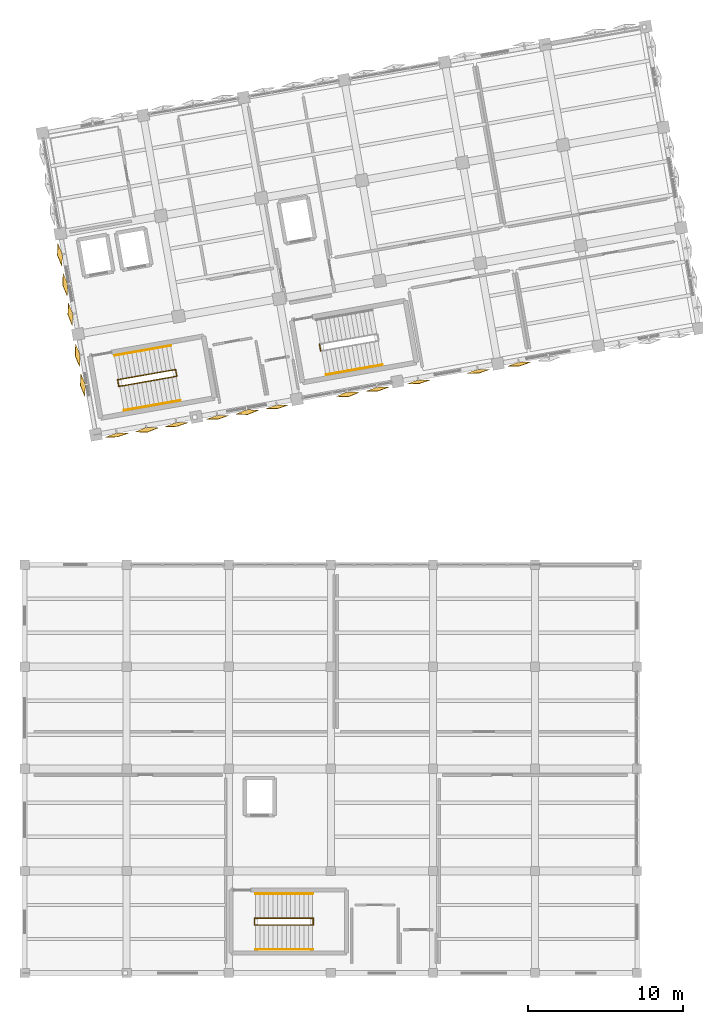
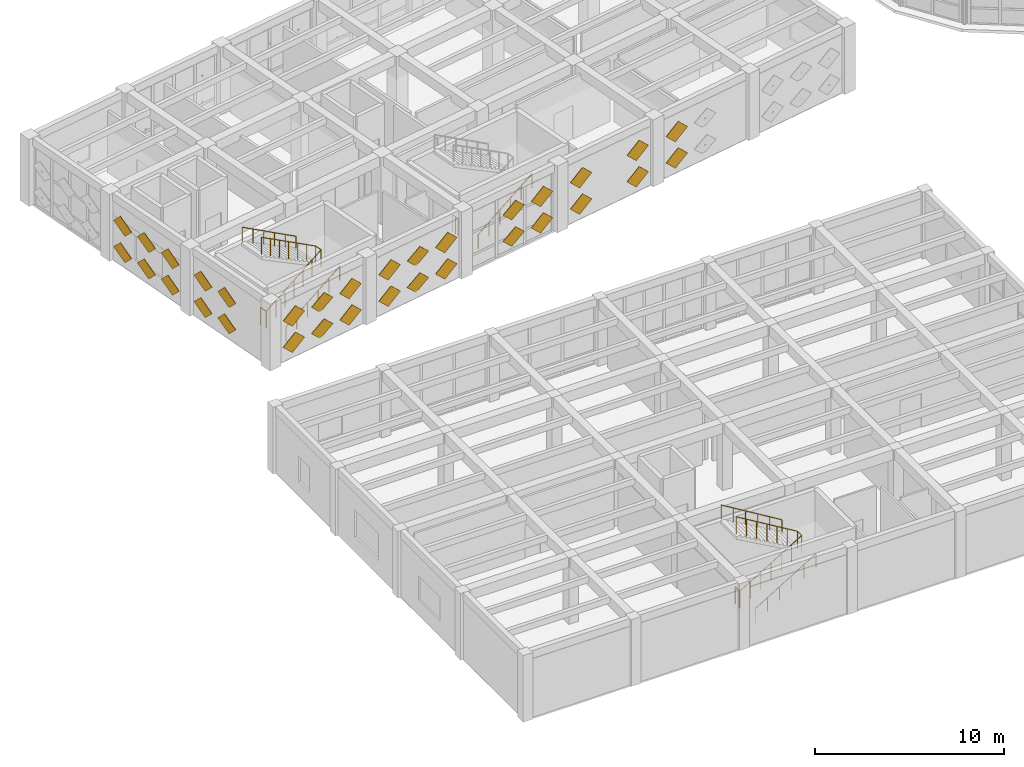
# One storey, part 75 of 80: 22 coverings, 10 railings, 10 shading devices.
"""IFC4 building model written with IfcOpenShell, lengths in metres."""

from ifc_helpers import new_model, si_unit, direction, frame, origin, origin_2d, place, context, subcontext, project, spatial, polyline, circle, outline, extrude, material, type_object, element, save


model = new_model("IFC4")

# Units and contexts
model_context = context("Model", 3, precision=1e-05, world=origin(), true_north=direction((0.0, 1.0)))
body_context = subcontext(model_context, "Body", "Model", "MODEL_VIEW")
ifc_project = project(units=[si_unit("LENGTHUNIT", "METRE"), si_unit("AREAUNIT", "SQUARE_METRE"), si_unit("VOLUMEUNIT", "CUBIC_METRE"), si_unit("PLANEANGLEUNIT", "RADIAN"), si_unit("MASSUNIT", "GRAM", prefix="KILO")], contexts=[model_context])

# Site, building, storey
site_placement = place(None, origin())
site = spatial("IfcSite", under=ifc_project, at=site_placement, CompositionType="ELEMENT")
building_placement = place(site_placement, origin())
building = spatial("IfcBuilding", under=site, at=building_placement, Name="Kharisveld Research Institute", CompositionType="ELEMENT")
storey_placement = place(building_placement, frame((0.0, 0.0, 5.10009765625)))
storey = spatial("IfcBuildingStorey", under=building, at=storey_placement, Name="L01", CompositionType="ELEMENT", Elevation=5.10009765625)

# Railings
ifc_material_1 = material(Name="Steel S355JR", Category="steel")
railing_type_1 = type_object("IfcRailingType", Name="RL_GRD_STR", PredefinedType="GUARDRAIL", material=ifc_material_1)
railing_1_placement = place(storey_placement, frame((6.75048828125, 38.13671875, 0.0)))
element("IfcRailing", 1, at=railing_1_placement, inside=storey, type_object=railing_type_1, Name="RLG:ST1:L01:GRD_SLOT", PredefinedType="GUARDRAIL", context=body_context, shape_type="SweptSolid", body=[
    extrude(circle(Radius=0.02392578125, at=origin_2d()), frame((0.0, 0.0, 1.09619140625), z_axis=(0.84417332575, 0.148863291176, 0.514986520826), x_axis=(-0.173662611611, 0.984805207809, 0.0)), (0.0, 0.0, 1.0), 4.369140625),
    extrude(circle(Radius=0.02392578125, at=origin_2d()), frame((3.688232421875, 0.650390625, 3.34619140625), z_axis=(-0.173658729201, 0.984805892434, 0.0), x_axis=(-0.984805892434, -0.173658729201, 0.0)), (0.0, 0.0, 1.0), 0.43994140625),
    extrude(circle(Radius=0.02392578125, at=origin_2d()), frame((3.61181640625, 1.083740234375, 3.34619140625), z_axis=(-0.844157266411, -0.148870313632, 0.515010814726), x_axis=(0.173673761132, -0.984803241614, 0.0)), (0.0, 0.0, 1.0), 4.368896484375),
    extrude(circle(Radius=0.02099609375, at=origin_2d()), origin(), (0.0, 0.0, 1.0), 1.072021484375),
    extrude(circle(Radius=0.02099609375, at=origin_2d()), frame((0.61474609375, 0.1083984375, 0.375)), (0.0, 0.0, 1.0), 1.072021484375),
    extrude(circle(Radius=0.02099609375, at=origin_2d()), frame((1.2294921875, 0.216796875, 0.75)), (0.0, 0.0, 1.0), 1.072021484375),
    extrude(circle(Radius=0.02099609375, at=origin_2d()), frame((1.84423828125, 0.3251953125, 1.125)), (0.0, 0.0, 1.0), 1.072021484375),
    extrude(circle(Radius=0.02099609375, at=origin_2d()), frame((2.458740234375, 0.43359375, 1.5)), (0.0, 0.0, 1.0), 1.072021484375),
    extrude(circle(Radius=0.02099609375, at=origin_2d()), frame((3.073486328125, 0.5419921875, 1.875)), (0.0, 0.0, 1.0), 1.072021484375),
    extrude(circle(Radius=0.02099609375, at=origin_2d()), frame((3.688232421875, 0.650390625, 2.25)), (0.0, 0.0, 1.0), 1.072021484375),
    extrude(circle(Radius=0.02099609375, at=origin_2d()), frame((3.61181640625, 1.083740234375, 2.25)), (0.0, 0.0, 1.0), 1.072021484375),
    extrude(circle(Radius=0.02099609375, at=origin_2d()), frame((2.9970703125, 0.975341796875, 2.625)), (0.0, 0.0, 1.0), 1.072021484375),
    extrude(circle(Radius=0.02099609375, at=origin_2d()), frame((2.382568359375, 0.866943359375, 3.0)), (0.0, 0.0, 1.0), 1.072021484375),
    extrude(circle(Radius=0.02099609375, at=origin_2d()), frame((1.767822265625, 0.758544921875, 3.375)), (0.0, 0.0, 1.0), 1.072021484375),
    extrude(circle(Radius=0.02099609375, at=origin_2d()), frame((1.153076171875, 0.650146484375, 3.75)), (0.0, 0.0, 1.0), 1.072021484375),
    extrude(circle(Radius=0.02099609375, at=origin_2d()), frame((0.53857421875, 0.541748046875, 4.125)), (0.0, 0.0, 1.0), 1.072021484375),
    extrude(circle(Radius=0.02099609375, at=origin_2d()), frame((-0.076171875, 0.433349609375, 4.5)), (0.0, 0.0, 1.0), 1.072021484375),
])
railing_2_placement = place(storey_placement, frame((6.69140625, 38.12646484375, 0.0)))
element("IfcRailing", 2, at=railing_2_placement, inside=storey, type_object=railing_type_1, Name="RLG:ST1:L01:GRD_FLRSLOT", PredefinedType="GUARDRAIL", context=body_context, shape_type="SweptSolid", body=[
    extrude(circle(Radius=0.02392578125, at=origin_2d()), frame((0.0, 0.0, 1.09619140625), z_axis=(-0.173753665698, 0.984789146801, 0.0), x_axis=(-0.984789146801, -0.173753665698, 0.0)), (0.0, 0.0, 1.0), 0.439697265625),
    extrude(circle(Radius=0.02099609375, at=origin_2d()), origin(), (0.0, 0.0, 1.0), 1.072021484375),
    extrude(circle(Radius=0.02099609375, at=origin_2d()), frame((-0.076416015625, 0.43310546875, 0.0)), (0.0, 0.0, 1.0), 1.072021484375),
])
railing_3_placement = place(storey_placement, frame((19.740234375, 40.42724609375, 0.0)))
element("IfcRailing", 3, at=railing_3_placement, inside=storey, type_object=railing_type_1, Name="RLG:ST2:L01:GRD_FLRSLOT", PredefinedType="GUARDRAIL", context=body_context, shape_type="SweptSolid", body=[
    extrude(circle(Radius=0.02392578125, at=origin_2d()), frame((0.0, 0.0, 1.09619140625), z_axis=(-0.173658729201, 0.984805892434, 0.0), x_axis=(-0.984805892434, -0.173658729201, 0.0)), (0.0, 0.0, 1.0), 0.43994140625),
    extrude(circle(Radius=0.02099609375, at=origin_2d()), origin(), (0.0, 0.0, 1.0), 1.072021484375),
    extrude(circle(Radius=0.02099609375, at=origin_2d()), frame((-0.0380859375, 0.216796875, 0.0)), (0.0, 0.0, 1.0), 1.072021484375),
    extrude(circle(Radius=0.02099609375, at=origin_2d()), frame((-0.076416015625, 0.433349609375, 0.0)), (0.0, 0.0, 1.0), 1.072021484375),
])
railing_4_placement = place(storey_placement, frame((15.52001953125, 3.31005859375, 0.0)))
element("IfcRailing", 4, at=railing_4_placement, inside=storey, type_object=railing_type_1, Name="RLG:ST4:L01:GRD_SLOT", PredefinedType="GUARDRAIL", context=body_context, shape_type="SweptSolid", body=[
    extrude(circle(Radius=0.02392578125, at=origin_2d()), frame((0.0, 0.0, 1.09619140625), z_axis=(0.857182128291, 0.0, 0.515013396853), x_axis=(0.0, 1.0, 0.0)), (0.0, 0.0, 1.0), 4.368896484375),
    extrude(circle(Radius=0.02392578125, at=origin_2d()), frame((3.744873046875, 0.0, 3.34619140625), z_axis=(0.0, 1.0, 0.0), x_axis=(-1.0, 0.0, 0.0)), (0.0, 0.0, 1.0), 0.43994140625),
    extrude(circle(Radius=0.02392578125, at=origin_2d()), frame((3.744873046875, 0.43994140625, 3.34619140625), z_axis=(-0.857182128291, 0.0, 0.515013396853), x_axis=(0.0, -1.0, 0.0)), (0.0, 0.0, 1.0), 4.368896484375),
    extrude(circle(Radius=0.02099609375, at=origin_2d()), origin(), (0.0, 0.0, 1.0), 1.072021484375),
    extrude(circle(Radius=0.02099609375, at=origin_2d()), frame((0.6240234375, 0.0, 0.375)), (0.0, 0.0, 1.0), 1.072021484375),
    extrude(circle(Radius=0.02099609375, at=origin_2d()), frame((1.248291015625, 0.0, 0.75)), (0.0, 0.0, 1.0), 1.072021484375),
    extrude(circle(Radius=0.02099609375, at=origin_2d()), frame((1.87255859375, 0.0, 1.125)), (0.0, 0.0, 1.0), 1.072021484375),
    extrude(circle(Radius=0.02099609375, at=origin_2d()), frame((2.49658203125, 0.0, 1.5)), (0.0, 0.0, 1.0), 1.072021484375),
    extrude(circle(Radius=0.02099609375, at=origin_2d()), frame((3.12060546875, 0.0, 1.875)), (0.0, 0.0, 1.0), 1.072021484375),
    extrude(circle(Radius=0.02099609375, at=origin_2d()), frame((3.744873046875, 0.0, 2.25)), (0.0, 0.0, 1.0), 1.072021484375),
    extrude(circle(Radius=0.02099609375, at=origin_2d()), frame((3.744873046875, 0.43994140625, 2.25)), (0.0, 0.0, 1.0), 1.072021484375),
    extrude(circle(Radius=0.02099609375, at=origin_2d()), frame((3.12060546875, 0.43994140625, 2.625)), (0.0, 0.0, 1.0), 1.072021484375),
    extrude(circle(Radius=0.02099609375, at=origin_2d()), frame((2.49658203125, 0.43994140625, 3.0)), (0.0, 0.0, 1.0), 1.072021484375),
    extrude(circle(Radius=0.02099609375, at=origin_2d()), frame((1.87255859375, 0.43994140625, 3.375)), (0.0, 0.0, 1.0), 1.072021484375),
    extrude(circle(Radius=0.02099609375, at=origin_2d()), frame((1.248291015625, 0.43994140625, 3.75)), (0.0, 0.0, 1.0), 1.072021484375),
    extrude(circle(Radius=0.02099609375, at=origin_2d()), frame((0.6240234375, 0.43994140625, 4.125)), (0.0, 0.0, 1.0), 1.072021484375),
    extrude(circle(Radius=0.02099609375, at=origin_2d()), frame((0.0, 0.43994140625, 4.5)), (0.0, 0.0, 1.0), 1.072021484375),
])
railing_5_placement = place(storey_placement, frame((15.4599609375, 3.31005859375, 0.0)))
element("IfcRailing", 5, at=railing_5_placement, inside=storey, type_object=railing_type_1, Name="RLG:ST4:L01:GRD_FLRSLOT", PredefinedType="GUARDRAIL", context=body_context, shape_type="SweptSolid", body=[
    extrude(circle(Radius=0.02392578125, at=origin_2d()), frame((0.0, 0.0, 1.09619140625), z_axis=(0.0, 1.0, 0.0), x_axis=(-1.0, 0.0, 0.0)), (0.0, 0.0, 1.0), 0.43994140625),
    extrude(circle(Radius=0.02099609375, at=origin_2d()), origin(), (0.0, 0.0, 1.0), 1.072021484375),
    extrude(circle(Radius=0.02099609375, at=origin_2d()), frame((0.0, 0.43994140625, 0.0)), (0.0, 0.0, 1.0), 1.072021484375),
])
ifc_material_2 = material(Name="Stainless Steel 316", Category="steel")
railing_type_2 = type_object("IfcRailingType", Name="RL_HND_STR", PredefinedType="HANDRAIL", material=ifc_material_2)
railing_6_placement = place(storey_placement, frame((7.02490234375, 36.580810546875, 0.0)))
element("IfcRailing", 6, at=railing_6_placement, inside=storey, type_object=railing_type_2, Name="RLG:ST1:L01:HR1", PredefinedType="HANDRAIL", context=body_context, shape_type="SweptSolid", body=[
    extrude(circle(Radius=0.02392578125, at=origin_2d()), frame((0.0, 0.0, 0.89599609375), z_axis=(0.841746897377, 0.148411045473, 0.519072559801), x_axis=(-0.173634966033, 0.984810082488, 0.0)), (0.0, 0.0, 1.0), 4.334716796875),
    extrude(circle(Radius=0.02099609375, at=origin_2d()), origin(), (0.0, 0.0, 1.0), 0.871826171875),
    extrude(circle(Radius=0.02099609375, at=origin_2d()), frame((0.729736328125, 0.128662109375, 0.449951171875)), (0.0, 0.0, 1.0), 0.871826171875),
    extrude(circle(Radius=0.02099609375, at=origin_2d()), frame((1.45947265625, 0.25732421875, 0.89990234375)), (0.0, 0.0, 1.0), 0.871826171875),
    extrude(circle(Radius=0.02099609375, at=origin_2d()), frame((2.189208984375, 0.385986328125, 1.35009765625)), (0.0, 0.0, 1.0), 0.871826171875),
    extrude(circle(Radius=0.02099609375, at=origin_2d()), frame((2.9189453125, 0.5146484375, 1.800048828125)), (0.0, 0.0, 1.0), 0.871826171875),
    extrude(circle(Radius=0.02099609375, at=origin_2d()), frame((3.648681640625, 0.643310546875, 2.25)), (0.0, 0.0, 1.0), 0.871826171875),
])
railing_7_placement = place(storey_placement, frame((10.048583984375, 40.76953125, 2.25)))
element("IfcRailing", 7, at=railing_7_placement, inside=storey, type_object=railing_type_2, Name="RLG:ST1:L01:HR2", PredefinedType="HANDRAIL", context=body_context, shape_type="SweptSolid", body=[
    extrude(circle(Radius=0.02392578125, at=origin_2d()), frame((0.0, 0.0, 0.89599609375), z_axis=(-0.841739860008, -0.148466127198, 0.519068220129), x_axis=(0.173698873865, -0.984798812559, 0.0)), (0.0, 0.0, 1.0), 4.334716796875),
    extrude(circle(Radius=0.02099609375, at=origin_2d()), origin(), (0.0, 0.0, 1.0), 0.871826171875),
    extrude(circle(Radius=0.02099609375, at=origin_2d()), frame((-0.729736328125, -0.128662109375, 0.449951171875)), (0.0, 0.0, 1.0), 0.871826171875),
    extrude(circle(Radius=0.02099609375, at=origin_2d()), frame((-1.45947265625, -0.25732421875, 0.89990234375)), (0.0, 0.0, 1.0), 0.871826171875),
    extrude(circle(Radius=0.02099609375, at=origin_2d()), frame((-2.189208984375, -0.38623046875, 1.35009765625)), (0.0, 0.0, 1.0), 0.871826171875),
    extrude(circle(Radius=0.02099609375, at=origin_2d()), frame((-2.9189453125, -0.514892578125, 1.800048828125)), (0.0, 0.0, 1.0), 0.871826171875),
    extrude(circle(Radius=0.02099609375, at=origin_2d()), frame((-3.648681640625, -0.6435546875, 2.25)), (0.0, 0.0, 1.0), 0.871826171875),
])
railing_8_placement = place(storey_placement, frame((20.07373046875, 38.881591796875, 0.0)))
element("IfcRailing", 8, at=railing_8_placement, inside=storey, type_object=railing_type_2, Name="RLG:ST2:L01:HR1", PredefinedType="HANDRAIL", context=body_context, shape_type="SweptSolid", body=[
    extrude(circle(Radius=0.02392578125, at=origin_2d()), frame((0.0, 0.0, 0.89599609375), z_axis=(0.841746897377, 0.148411045473, 0.519072559801), x_axis=(-0.173634966033, 0.984810082488, 0.0)), (0.0, 0.0, 1.0), 4.334716796875),
    extrude(circle(Radius=0.02099609375, at=origin_2d()), origin(), (0.0, 0.0, 1.0), 0.871826171875),
    extrude(circle(Radius=0.02099609375, at=origin_2d()), frame((0.729736328125, 0.128662109375, 0.449951171875)), (0.0, 0.0, 1.0), 0.871826171875),
    extrude(circle(Radius=0.02099609375, at=origin_2d()), frame((1.45947265625, 0.25732421875, 0.89990234375)), (0.0, 0.0, 1.0), 0.871826171875),
    extrude(circle(Radius=0.02099609375, at=origin_2d()), frame((2.189208984375, 0.385986328125, 1.35009765625)), (0.0, 0.0, 1.0), 0.871826171875),
    extrude(circle(Radius=0.02099609375, at=origin_2d()), frame((2.9189453125, 0.5146484375, 1.800048828125)), (0.0, 0.0, 1.0), 0.871826171875),
    extrude(circle(Radius=0.02099609375, at=origin_2d()), frame((3.648681640625, 0.643310546875, 2.25)), (0.0, 0.0, 1.0), 0.871826171875),
])
railing_9_placement = place(storey_placement, frame((15.52001953125, 1.72998046875, 0.0)))
element("IfcRailing", 9, at=railing_9_placement, inside=storey, type_object=railing_type_2, Name="RLG:ST4:L01:HR1", PredefinedType="HANDRAIL", context=body_context, shape_type="SweptSolid", body=[
    extrude(circle(Radius=0.02392578125, at=origin_2d()), frame((0.0, 0.0, 0.89599609375), z_axis=(0.854737540875, 0.0, 0.519060435998), x_axis=(0.0, 1.0, 0.0)), (0.0, 0.0, 1.0), 4.334716796875),
    extrude(circle(Radius=0.02099609375, at=origin_2d()), origin(), (0.0, 0.0, 1.0), 0.871826171875),
    extrude(circle(Radius=0.02099609375, at=origin_2d()), frame((0.740966796875, 0.0, 0.449951171875)), (0.0, 0.0, 1.0), 0.871826171875),
    extrude(circle(Radius=0.02099609375, at=origin_2d()), frame((1.48193359375, 0.0, 0.89990234375)), (0.0, 0.0, 1.0), 0.871826171875),
    extrude(circle(Radius=0.02099609375, at=origin_2d()), frame((2.22314453125, 0.0, 1.35009765625)), (0.0, 0.0, 1.0), 0.871826171875),
    extrude(circle(Radius=0.02099609375, at=origin_2d()), frame((2.964111328125, 0.0, 1.800048828125)), (0.0, 0.0, 1.0), 0.871826171875),
    extrude(circle(Radius=0.02099609375, at=origin_2d()), frame((3.705078125, 0.0, 2.25)), (0.0, 0.0, 1.0), 0.871826171875),
])
railing_10_placement = place(storey_placement, frame((19.22509765625, 5.330078125, 2.25)))
element("IfcRailing", 10, at=railing_10_placement, inside=storey, type_object=railing_type_2, Name="RLG:ST4:L01:HR2", PredefinedType="HANDRAIL", context=body_context, shape_type="SweptSolid", body=[
    extrude(circle(Radius=0.02392578125, at=origin_2d()), frame((0.0, 0.0, 0.89599609375), z_axis=(-0.854737540875, 0.0, 0.519060435998), x_axis=(0.0, -1.0, 0.0)), (0.0, 0.0, 1.0), 4.334716796875),
    extrude(circle(Radius=0.02099609375, at=origin_2d()), origin(), (0.0, 0.0, 1.0), 0.871826171875),
    extrude(circle(Radius=0.02099609375, at=origin_2d()), frame((-0.740966796875, 0.0, 0.449951171875)), (0.0, 0.0, 1.0), 0.871826171875),
    extrude(circle(Radius=0.02099609375, at=origin_2d()), frame((-1.48193359375, 0.0, 0.89990234375)), (0.0, 0.0, 1.0), 0.871826171875),
    extrude(circle(Radius=0.02099609375, at=origin_2d()), frame((-2.22314453125, 0.0, 1.35009765625)), (0.0, 0.0, 1.0), 0.871826171875),
    extrude(circle(Radius=0.02099609375, at=origin_2d()), frame((-2.964111328125, 0.0, 1.800048828125)), (0.0, 0.0, 1.0), 0.871826171875),
    extrude(circle(Radius=0.02099609375, at=origin_2d()), frame((-3.705078125, 0.0, 2.25)), (0.0, 0.0, 1.0), 0.871826171875),
])

# Coverings
ifc_material_3 = material(Name="White Powder-Coated Perforated Aluminium", Category="aluminium")
covering_type = type_object("IfcCoveringType", Name="CV_DIA_105", PredefinedType="CLADDING")
covering_1_placement = place(storey_placement, frame((32.549072265625, 39.69287109375, 0.317626953125), z_axis=(-0.171234061711, 0.9712992705, 0.165095800177), x_axis=(-0.676173830196, -0.2377336742, 0.697331808761)))
element("IfcCovering", 11, at=covering_1_placement, inside=storey, type_object=covering_type, material=ifc_material_3, Name="SHD:V1:L01:S5:S2C0", PredefinedType="CLADDING", context=body_context, shape_type="SweptSolid", body=[
    extrude(outline(polyline([(0.0, 0.0), (1.0500032083471293, -1.1102230246251565e-16), (1.0499897163291267, 1.0500851186270816), (-0.00012569859382338677, 1.049912938756706), (0.0, 0.0)])), origin(), (0.0, 0.0, -1.0), 0.02392578125),
])
covering_2_placement = place(storey_placement, frame((32.549072265625, 39.69287109375, 2.017578125), z_axis=(-0.171234061711, 0.9712992705, 0.165095800177), x_axis=(-0.676057632461, -0.237732410628, 0.697444892825)))
element("IfcCovering", 12, at=covering_2_placement, inside=storey, type_object=covering_type, material=ifc_material_3, Name="SHD:V1:L01:S5:S2C1", PredefinedType="CLADDING", context=body_context, shape_type="SweptSolid", body=[
    extrude(outline(polyline([(0.0, 0.0), (1.050173469176079, 1.1102230246251565e-16), (1.0501599702440891, 1.049914852574201), (0.0002148158393612265, 1.050083199772804), (0.0, 0.0)])), origin(), (0.0, 0.0, -1.0), 0.02392578125),
])
covering_3_placement = place(storey_placement, frame((29.896484375, 39.22509765625, 0.317626953125), z_axis=(-0.171233254714, 0.971294692931, 0.165123565742), x_axis=(-0.676049703282, -0.237751697675, 0.697446004322)))
element("IfcCovering", 13, at=covering_3_placement, inside=storey, type_object=covering_type, material=ifc_material_3, Name="SHD:V1:L01:S4:S0C0", PredefinedType="CLADDING", context=body_context, shape_type="SweptSolid", body=[
    extrude(outline(polyline([(0.0, 0.0), (1.0497800999577254, -1.1102230246251565e-16), (1.0500015407356356, 1.0500832001478695), (-0.00017193017064442984, 1.050089822153828), (0.0, 0.0)])), origin(), (0.0, 0.0, -1.0), 0.02392578125),
])
covering_4_placement = place(storey_placement, frame((29.896484375, 39.22509765625, 2.017578125), z_axis=(-0.171233254714, 0.971294692931, 0.165123565742), x_axis=(-0.675933481963, -0.237750430695, 0.697559073245)))
element("IfcCovering", 14, at=covering_4_placement, inside=storey, type_object=covering_type, material=ifc_material_3, Name="SHD:V1:L01:S4:S0C1", PredefinedType="CLADDING", context=body_context, shape_type="SweptSolid", body=[
    extrude(outline(polyline([(0.0, 0.0), (1.0499503886646024, 2.220446049250313e-16), (1.050171801027309, 1.0499129254881363), (0.00016864750933409667, 1.0502600611747344), (0.0, 0.0)])), origin(), (0.0, 0.0, -1.0), 0.02392578125),
])
covering_5_placement = place(storey_placement, frame((26.04931640625, 38.546630859375, 0.317626953125), z_axis=(-0.171238636855, 0.971325222312, 0.164938296792), x_axis=(-0.676191865964, -0.23762399085, 0.697351704219)))
element("IfcCovering", 15, at=covering_5_placement, inside=storey, type_object=covering_type, material=ifc_material_3, Name="SHD:V1:L01:S4:S2C0", PredefinedType="CLADDING", context=body_context, shape_type="SweptSolid", body=[
    extrude(outline(polyline([(0.0, 0.0), (1.0499451723202433, -1.1102230246251565e-16), (1.0499335917706356, 1.0500851276195962), (-0.00018183243052050102, 1.0499148413347306), (0.0, 0.0)])), origin(), (0.0, 0.0, -1.0), 0.02392578125),
])
covering_6_placement = place(storey_placement, frame((26.04931640625, 38.546630859375, 2.017578125), z_axis=(-0.171238636855, 0.971325222312, 0.164938296792), x_axis=(-0.676075661849, -0.237622709321, 0.697464800165)))
element("IfcCovering", 16, at=covering_6_placement, inside=storey, type_object=covering_type, material=ifc_material_3, Name="SHD:V1:L01:S4:S2C1", PredefinedType="CLADDING", context=body_context, shape_type="SweptSolid", body=[
    extrude(outline(polyline([(0.0, 0.0), (1.050115438007933, 0.0), (1.0501038593359955, 1.049914857016463), (0.00015870082029023624, 1.050085115691115), (0.0, 0.0)])), origin(), (0.0, 0.0, -1.0), 0.02392578125),
])
covering_7_placement = place(storey_placement, frame((23.39697265625, 38.0791015625, 0.317626953125), z_axis=(-0.171234061711, 0.9712992705, 0.165095800177), x_axis=(-0.676173830196, -0.2377336742, 0.697331808761)))
element("IfcCovering", 17, at=covering_7_placement, inside=storey, type_object=covering_type, material=ifc_material_3, Name="SHD:V1:L01:S3:S0C0", PredefinedType="CLADDING", context=body_context, shape_type="SweptSolid", body=[
    extrude(outline(polyline([(0.0, 0.0), (1.0500032083471293, -1.1102230246251565e-16), (1.0499897163291267, 1.0500851186270816), (-0.00012569859382338677, 1.049912938756706), (0.0, 0.0)])), origin(), (0.0, 0.0, -1.0), 0.02392578125),
])
covering_8_placement = place(storey_placement, frame((23.39697265625, 38.0791015625, 2.017578125), z_axis=(-0.171234061711, 0.9712992705, 0.165095800177), x_axis=(-0.676057632461, -0.237732410628, 0.697444892825)))
element("IfcCovering", 18, at=covering_8_placement, inside=storey, type_object=covering_type, material=ifc_material_3, Name="SHD:V1:L01:S3:S0C1", PredefinedType="CLADDING", context=body_context, shape_type="SweptSolid", body=[
    extrude(outline(polyline([(0.0, 0.0), (1.050173469176079, 1.1102230246251565e-16), (1.0501599702440891, 1.049914852574201), (0.0002148158393612265, 1.050083199772804), (0.0, 0.0)])), origin(), (0.0, 0.0, -1.0), 0.02392578125),
])
for number, where, z_axis, x_axis, name in (
    (19, (21.466552734375, 37.77734375, 0.324951171875), (-0.169503194288, 0.961481187298, 0.216385289699), (-0.669849989418, -0.273447448775, 0.690309701826), "SHD:V1:L01:S3:S1C0"),
    (20, (21.466552734375, 37.77734375, 2.025146484375), (-0.169503194288, 0.961481187298, 0.216385289699), (-0.669849989418, -0.273447448775, 0.690309701826), "SHD:V1:L01:S3:S1C1"),
):
    element("IfcCovering", number, at=place(storey_placement, frame(where, z_axis=z_axis, x_axis=x_axis)), inside=storey, type_object=covering_type, material=ifc_material_3, Name=name, PredefinedType="CLADDING", context=body_context, shape_type="SweptSolid", body=[
        extrude(outline(polyline([(0.0, 0.0), (1.0500345517563856, -1.1102230246251565e-16), (1.0498172010450848, 1.0501299743656882), (-5.381311622809637e-05, 1.0499534875988095), (0.0, 0.0)])), origin(), (0.0, 0.0, -1.0), 0.02392578125),
    ])
covering_9_placement = place(storey_placement, frame((16.897216796875, 36.932861328125, 0.317626953125), z_axis=(-0.171238636855, 0.971325222312, 0.164938296792), x_axis=(-0.676191865964, -0.23762399085, 0.697351704219)))
element("IfcCovering", 21, at=covering_9_placement, inside=storey, type_object=covering_type, material=ifc_material_3, Name="SHD:V1:L01:S2:S0C0", PredefinedType="CLADDING", context=body_context, shape_type="SweptSolid", body=[
    extrude(outline(polyline([(0.0, 0.0), (1.0499451723202433, -1.1102230246251565e-16), (1.0499335917706356, 1.0500851276195962), (-0.00018183243052050102, 1.0499148413347306), (0.0, 0.0)])), origin(), (0.0, 0.0, -1.0), 0.02392578125),
])
covering_10_placement = place(storey_placement, frame((16.897216796875, 36.932861328125, 2.017578125), z_axis=(-0.171238636855, 0.971325222312, 0.164938296792), x_axis=(-0.676075661849, -0.237622709321, 0.697464800165)))
element("IfcCovering", 22, at=covering_10_placement, inside=storey, type_object=covering_type, material=ifc_material_3, Name="SHD:V1:L01:S2:S0C1", PredefinedType="CLADDING", context=body_context, shape_type="SweptSolid", body=[
    extrude(outline(polyline([(0.0, 0.0), (1.050115438007933, 0.0), (1.0501038593359955, 1.049914857016463), (0.00015870082029023624, 1.050085115691115), (0.0, 0.0)])), origin(), (0.0, 0.0, -1.0), 0.02392578125),
])
for number, where, z_axis, x_axis, name in (
    (23, (14.966796875, 36.63134765625, 0.324951171875), (-0.16952470156, 0.961442649282, 0.216539621552), (-0.66970617229, -0.273578570302, 0.690397283213), "SHD:V1:L01:S2:S1C0"),
    (24, (14.966796875, 36.63134765625, 2.025146484375), (-0.16952470156, 0.961442649282, 0.216539621552), (-0.66970617229, -0.273578570302, 0.690397283213), "SHD:V1:L01:S2:S1C1"),
):
    element("IfcCovering", number, at=place(storey_placement, frame(where, z_axis=z_axis, x_axis=x_axis)), inside=storey, type_object=covering_type, material=ifc_material_3, Name=name, PredefinedType="CLADDING", context=body_context, shape_type="SweptSolid", body=[
        extrude(outline(polyline([(0.0, 0.0), (1.0498710226392558, 0.0), (1.0500604882684064, 1.0499603061510638), (0.00012267398601040203, 1.0499534754558235), (0.0, 0.0)])), origin(), (0.0, 0.0, -1.0), 0.02392578125),
    ])
covering_11_placement = place(storey_placement, frame((13.0498046875, 36.254638671875, 0.317626953125), z_axis=(-0.171234061711, 0.9712992705, 0.165095800177), x_axis=(-0.676173830196, -0.2377336742, 0.697331808761)))
element("IfcCovering", 25, at=covering_11_placement, inside=storey, type_object=covering_type, material=ifc_material_3, Name="SHD:V1:L01:S2:S2C0", PredefinedType="CLADDING", context=body_context, shape_type="SweptSolid", body=[
    extrude(outline(polyline([(0.0, 0.0), (1.0500032083471293, -1.1102230246251565e-16), (1.0499897163291267, 1.0500851186270816), (-0.00012569859382338677, 1.049912938756706), (0.0, 0.0)])), origin(), (0.0, 0.0, -1.0), 0.02392578125),
])
covering_12_placement = place(storey_placement, frame((13.0498046875, 36.254638671875, 2.017578125), z_axis=(-0.171234061711, 0.9712992705, 0.165095800177), x_axis=(-0.676057632461, -0.237732410628, 0.697444892825)))
element("IfcCovering", 26, at=covering_12_placement, inside=storey, type_object=covering_type, material=ifc_material_3, Name="SHD:V1:L01:S2:S2C1", PredefinedType="CLADDING", context=body_context, shape_type="SweptSolid", body=[
    extrude(outline(polyline([(0.0, 0.0), (1.050173469176079, 1.1102230246251565e-16), (1.0501599702440891, 1.049914852574201), (0.0002148158393612265, 1.050083199772804), (0.0, 0.0)])), origin(), (0.0, 0.0, -1.0), 0.02392578125),
])
covering_13_placement = place(storey_placement, frame((10.3974609375, 35.786865234375, 0.317626953125), z_axis=(-0.171234061711, 0.9712992705, 0.165095800177), x_axis=(-0.676172534966, -0.237733660148, 0.69733306948)))
element("IfcCovering", 27, at=covering_13_placement, inside=storey, type_object=covering_type, material=ifc_material_3, Name="SHD:V1:L01:S1:S0C0", PredefinedType="CLADDING", context=body_context, shape_type="SweptSolid", body=[
    extrude(outline(polyline([(0.0, 0.0), (1.049945167901042, 2.220446049250313e-16), (1.0499916144071415, 1.0500832207180806), (-0.0001818412696886762, 1.0499148369138707), (0.0, 0.0)])), origin(), (0.0, 0.0, -1.0), 0.02392578125),
])
covering_14_placement = place(storey_placement, frame((10.3974609375, 35.786865234375, 2.017578125), z_axis=(-0.171234061711, 0.9712992705, 0.165095800177), x_axis=(-0.67605633082, -0.237732396439, 0.697446159385)))
element("IfcCovering", 28, at=covering_14_placement, inside=storey, type_object=covering_type, material=ifc_material_3, Name="SHD:V1:L01:S1:S0C1", PredefinedType="CLADDING", context=body_context, shape_type="SweptSolid", body=[
    extrude(outline(polyline([(0.0, 0.0), (1.050115429038497, -1.1102230246251565e-16), (1.0501618771158647, 1.0499129452537745), (0.00015868288277420817, 1.050085106724131), (0.0, 0.0)])), origin(), (0.0, 0.0, -1.0), 0.02392578125),
])
for number, where, z_axis, x_axis, name in (
    (29, (8.467041015625, 35.4853515625, 0.324951171875), (-0.169497253476, 0.961447488939, 0.216539620108), (-0.669704807286, -0.273559805143, 0.690406042925), "SHD:V1:L01:S1:S1C0"),
    (30, (8.467041015625, 35.4853515625, 2.025146484375), (-0.169497253476, 0.961447488939, 0.216539620108), (-0.669704807286, -0.273559805143, 0.690406042925), "SHD:V1:L01:S1:S1C1"),
):
    element("IfcCovering", number, at=place(storey_placement, frame(where, z_axis=z_axis, x_axis=x_axis)), inside=storey, type_object=covering_type, material=ifc_material_3, Name=name, PredefinedType="CLADDING", context=body_context, shape_type="SweptSolid", body=[
        extrude(outline(polyline([(0.0, 0.0), (1.0499378117878446, 0.0), (1.0500673216048337, 1.0499534721181558), (3.2794728575202825e-05, 1.0501368269494782), (0.0, 0.0)])), origin(), (0.0, 0.0, -1.0), 0.02392578125),
    ])
covering_15_placement = place(storey_placement, frame((6.550048828125, 35.1083984375, 0.317626953125), z_axis=(-0.171238636855, 0.971325222312, 0.164938296792), x_axis=(-0.676191865964, -0.23762399085, 0.697351704219)))
element("IfcCovering", 31, at=covering_15_placement, inside=storey, type_object=covering_type, material=ifc_material_3, Name="SHD:V1:L01:S1:S2C0", PredefinedType="CLADDING", context=body_context, shape_type="SweptSolid", body=[
    extrude(outline(polyline([(0.0, 0.0), (1.0499451723202433, -1.1102230246251565e-16), (1.0499335917706356, 1.0500851276195962), (-0.00018183243052050102, 1.0499148413347306), (0.0, 0.0)])), origin(), (0.0, 0.0, -1.0), 0.02392578125),
])
covering_16_placement = place(storey_placement, frame((6.550048828125, 35.1083984375, 2.017578125), z_axis=(-0.171238636855, 0.971325222312, 0.164938296792), x_axis=(-0.676075661849, -0.237622709321, 0.697464800165)))
element("IfcCovering", 32, at=covering_16_placement, inside=storey, type_object=covering_type, material=ifc_material_3, Name="SHD:V1:L01:S1:S2C1", PredefinedType="CLADDING", context=body_context, shape_type="SweptSolid", body=[
    extrude(outline(polyline([(0.0, 0.0), (1.050115438007933, 0.0), (1.0501038593359955, 1.049914857016463), (0.00015870082029023624, 1.050085115691115), (0.0, 0.0)])), origin(), (0.0, 0.0, -1.0), 0.02392578125),
])

# Shading devices
shading_device_type = type_object("IfcShadingDeviceType", Name="SHD_DIA_105", PredefinedType="USERDEFINED")
for number, where, z_axis, x_axis, name in (
    (33, (4.529052734375, 38.24267578125, 0.324951171875), (0.961476347302, 0.169530643305, 0.21638529192), (-0.273471090272, 0.669725119033, 0.690421485559), "SHD:V1:L01:W0:S1C0"),
    (34, (4.529052734375, 38.24267578125, 2.025146484375), (0.961476347302, 0.169530643305, 0.21638529192), (-0.273471090272, 0.669725119033, 0.690421485559), "SHD:V1:L01:W0:S1C1"),
):
    element("IfcShadingDevice", number, at=place(storey_placement, frame(where, z_axis=z_axis, x_axis=x_axis)), inside=storey, type_object=shading_device_type, material=ifc_material_3, Name=name, ObjectType="SUNSHADE", PredefinedType="USERDEFINED", context=body_context, shape_type="SweptSolid", body=[
        extrude(outline(polyline([(0.0, 0.0), (1.0498710291992122, 0.0), (1.0499937163043682, 1.0499534820137317), (0.00012268710515594972, 1.049953482013732), (0.0, 0.0)])), origin(), (0.0, 0.0, -1.0), 0.02392578125),
    ])
for number, where, z_axis, x_axis, name in (
    (35, (4.18994140625, 40.166259765625, 0.324951171875), (0.961481187298, 0.169503194288, 0.216385289699), (-0.273447448775, 0.669849989418, 0.690309701826), "SHD:V1:L01:W0:S2C0"),
    (36, (4.18994140625, 40.166259765625, 2.025146484375), (0.961481187298, 0.169503194288, 0.216385289699), (-0.273447448775, 0.669849989418, 0.690309701826), "SHD:V1:L01:W0:S2C1"),
):
    element("IfcShadingDevice", number, at=place(storey_placement, frame(where, z_axis=z_axis, x_axis=x_axis)), inside=storey, type_object=shading_device_type, material=ifc_material_3, Name=name, ObjectType="SUNSHADE", PredefinedType="USERDEFINED", context=body_context, shape_type="SweptSolid", body=[
        extrude(outline(polyline([(0.0, 0.0), (1.0500345517563856, -1.1102230246251565e-16), (1.0498172010450848, 1.0501299743656882), (-5.381311622809637e-05, 1.0499534875988095), (0.0, 0.0)])), origin(), (0.0, 0.0, -1.0), 0.02392578125),
    ])
for number, where, z_axis, x_axis, name in (
    (37, (3.72216796875, 42.818603515625, 0.324951171875), (0.961487125864, 0.169504241221, 0.216358080518), (-0.27342850239, 0.669853329409, 0.690313965642), "SHD:V1:L01:W1:S0C0"),
    (38, (3.72216796875, 42.818603515625, 2.025146484375), (0.961487125864, 0.169504241221, 0.216358080518), (-0.27342850239, 0.669853329409, 0.690313965642), "SHD:V1:L01:W1:S0C1"),
):
    element("IfcShadingDevice", number, at=place(storey_placement, frame(where, z_axis=z_axis, x_axis=x_axis)), inside=storey, type_object=shading_device_type, material=ifc_material_3, Name=name, ObjectType="SUNSHADE", PredefinedType="USERDEFINED", context=body_context, shape_type="SweptSolid", body=[
        extrude(outline(polyline([(0.0, 0.0), (1.0500345519602505, 0.0), (1.0499807392517624, 1.0499534878027108), (-5.381270848814346e-05, 1.049953487802711), (0.0, 0.0)])), origin(), (0.0, 0.0, -1.0), 0.02392578125),
    ])
for number, where, z_axis, x_axis, name in (
    (39, (3.383056640625, 44.742431640625, 0.324951171875), (0.961481187298, 0.169503194288, 0.216385289699), (-0.273452141042, 0.669728459805, 0.690425750307), "SHD:V1:L01:W1:S1C0"),
    (40, (3.383056640625, 44.742431640625, 2.025146484375), (0.961481187298, 0.169503194288, 0.216385289699), (-0.273452141042, 0.669728459805, 0.690425750307), "SHD:V1:L01:W1:S1C1"),
):
    element("IfcShadingDevice", number, at=place(storey_placement, frame(where, z_axis=z_axis, x_axis=x_axis)), inside=storey, type_object=shading_device_type, material=ifc_material_3, Name=name, ObjectType="SUNSHADE", PredefinedType="USERDEFINED", context=body_context, shape_type="SweptSolid", body=[
        extrude(outline(polyline([(0.0, 0.0), (1.0498710289953155, -1.1102230246251565e-16), (1.0499937165082887, 1.0499534818098035), (-4.082041178410378e-05, 1.0501299960653954), (0.0, 0.0)])), origin(), (0.0, 0.0, -1.0), 0.02392578125),
    ])
for number, where, z_axis, x_axis, name in (
    (41, (3.0439453125, 46.666015625, 0.324951171875), (0.961420032054, 0.169652917176, 0.216539626071), (-0.273662566838, 0.66980738436, 0.690265794725), "SHD:V1:L01:W1:S2C0"),
    (42, (3.0439453125, 46.666015625, 2.025146484375), (0.961420032054, 0.169652917176, 0.216539626071), (-0.273662566838, 0.66980738436, 0.690265794725), "SHD:V1:L01:W1:S2C1"),
):
    element("IfcShadingDevice", number, at=place(storey_placement, frame(where, z_axis=z_axis, x_axis=x_axis)), inside=storey, type_object=shading_device_type, material=ifc_material_3, Name=name, ObjectType="SUNSHADE", PredefinedType="USERDEFINED", context=body_context, shape_type="SweptSolid", body=[
        extrude(outline(polyline([(0.0, 0.0), (1.0501013330201203, 0.0), (1.049890807434033, 1.0501299757557796), (-4.699839263988537e-05, 1.0499534879256078), (0.0, 0.0)])), origin(), (0.0, 0.0, -1.0), 0.02392578125),
    ])

save(model, "model.ifc")
